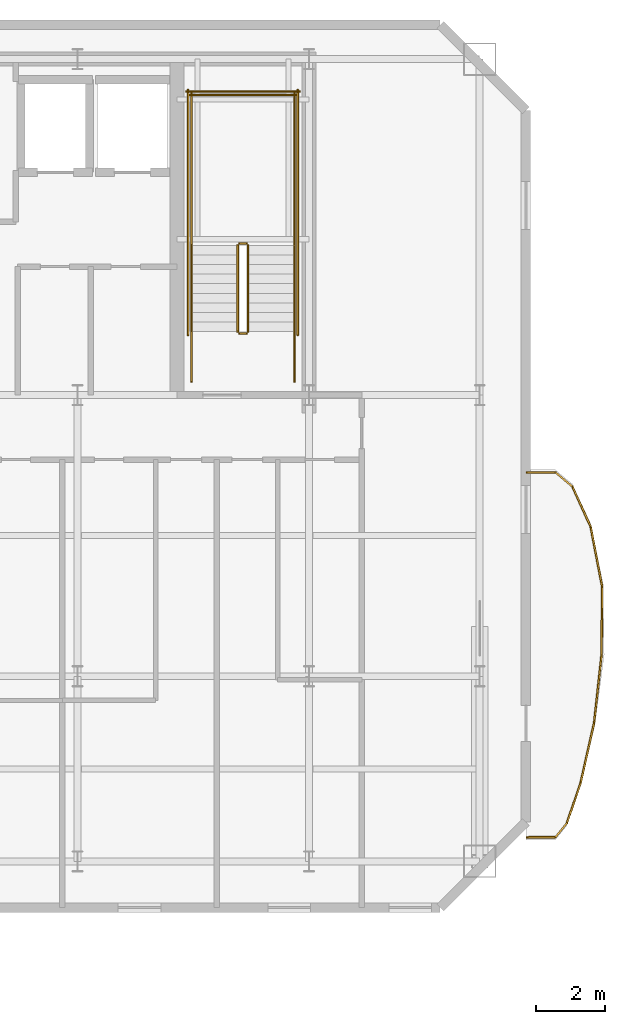
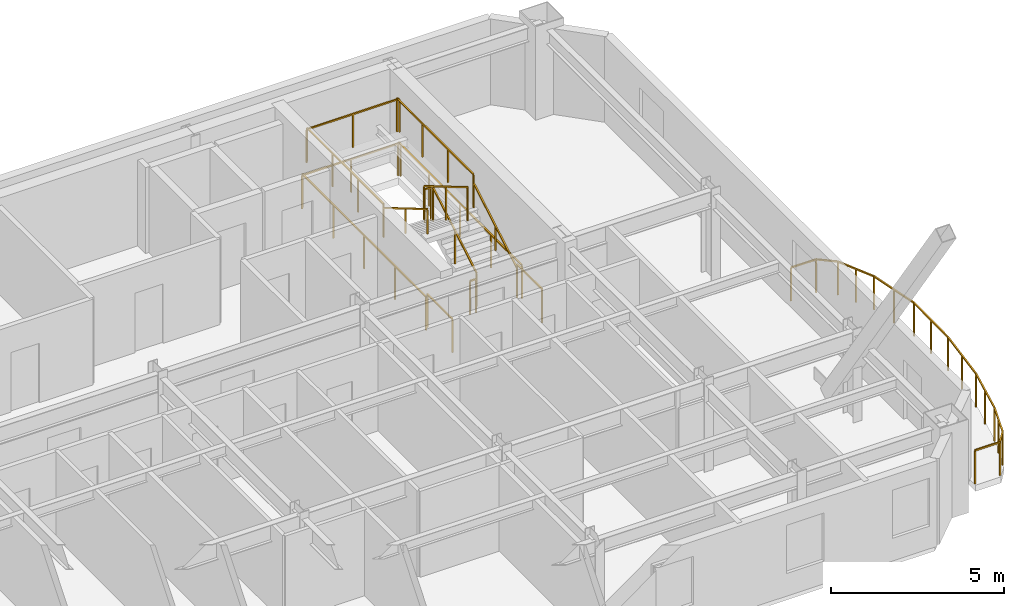
# One storey, part 6 of 6: 24 railings.
"""IFC4 building model written with IfcOpenShell, lengths in metres."""

from ifc_helpers import new_model, si_unit, direction, frame, origin, origin_2d, place, context, subcontext, project, spatial, rectangle, extrude, material, type_object, element, save


model = new_model("IFC4")

# Units and contexts
model_context = context("Model", 3, precision=1e-05, world=origin(), true_north=direction((0.0, 1.0)))
body_context = subcontext(model_context, "Body", "Model", "MODEL_VIEW")
ifc_project = project(units=[si_unit("LENGTHUNIT", "METRE"), si_unit("AREAUNIT", "SQUARE_METRE"), si_unit("VOLUMEUNIT", "CUBIC_METRE"), si_unit("PLANEANGLEUNIT", "RADIAN"), si_unit("MASSUNIT", "GRAM", prefix="KILO")], contexts=[model_context])

# Site, building, storey
site_placement = place(None, origin())
site = spatial("IfcSite", under=ifc_project, at=site_placement, CompositionType="ELEMENT")
building_placement = place(site_placement, origin())
building = spatial("IfcBuilding", under=site, at=building_placement, Name="Haevon Station Towers", CompositionType="ELEMENT")
storey_placement = place(building_placement, frame((0.0, 0.0, 249.300048828125)))
storey = spatial("IfcBuildingStorey", under=building, at=storey_placement, Name="L69", CompositionType="ELEMENT", Elevation=249.300048828125)

# Railings
ifc_material = material(Name="Steel S355", Category="steel")
railing_type_1 = type_object("IfcRailingType", Name="GRD-EXT1200", PredefinedType="GUARDRAIL", material=ifc_material)
railing_1_placement = place(storey_placement, frame((57.3486328125, 25.302734375, 0.0)))
element("IfcRailing", 1, at=railing_1_placement, inside=storey, type_object=railing_type_1, Name="L69 Perimeter Guardrail 1", PredefinedType="GUARDRAIL", context=body_context, shape_type="SweptSolid", body=[
    extrude(rectangle(XDim=0.048095703125, YDim=0.048095703125, at=origin_2d()), frame((0.0, 0.0, 1.17578125), z_axis=(0.999997283225, 0.002330995998, 0.0), x_axis=(-0.002330995998, 0.999997283225, 0.0)), (0.0, 0.0, 1.0), 0.837890625),
    extrude(rectangle(XDim=0.0419921875, YDim=0.0419921875, at=origin_2d()), origin(), (0.0, 0.0, 1.0), 1.15185546875),
    extrude(rectangle(XDim=0.0419921875, YDim=0.0419921875, at=origin_2d()), frame((0.837890625, 0.001953125, 0.0)), (0.0, 0.0, 1.0), 1.15185546875),
])
railing_2_placement = place(storey_placement, frame((58.1865234375, 25.3046875, 0.0)))
element("IfcRailing", 2, at=railing_2_placement, inside=storey, type_object=railing_type_1, Name="L69 Perimeter Guardrail 2", PredefinedType="GUARDRAIL", context=body_context, shape_type="SweptSolid", body=[
    extrude(rectangle(XDim=0.048095703125, YDim=0.048095703125, at=origin_2d()), frame((0.0, 0.0, 1.17578125), z_axis=(0.626386088605, 0.779512968463, 0.0), x_axis=(-0.779512968463, 0.626386088605, 0.0)), (0.0, 0.0, 1.0), 0.52783203125),
    extrude(rectangle(XDim=0.0419921875, YDim=0.0419921875, at=origin_2d()), origin(), (0.0, 0.0, 1.0), 1.15185546875),
    extrude(rectangle(XDim=0.0419921875, YDim=0.0419921875, at=origin_2d()), frame((0.33056640625, 0.411376953125, 0.0)), (0.0, 0.0, 1.0), 1.15185546875),
])
railing_3_placement = place(storey_placement, frame((58.51708984375, 25.716064453125, 0.0)))
element("IfcRailing", 3, at=railing_3_placement, inside=storey, type_object=railing_type_1, Name="L69 Perimeter Guardrail 3", PredefinedType="GUARDRAIL", context=body_context, shape_type="SweptSolid", body=[
    extrude(rectangle(XDim=0.048095703125, YDim=0.048095703125, at=origin_2d()), frame((0.0, 0.0, 1.17578125), z_axis=(0.324031686844, 0.946046228216, 0.0), x_axis=(-0.946046228216, 0.324031686844, 0.0)), (0.0, 0.0, 1.0), 1.237060546875),
    extrude(rectangle(XDim=0.0419921875, YDim=0.0419921875, at=origin_2d()), origin(), (0.0, 0.0, 1.0), 1.15185546875),
    extrude(rectangle(XDim=0.0419921875, YDim=0.0419921875, at=origin_2d()), frame((0.200439453125, 0.585205078125, 0.0)), (0.0, 0.0, 1.0), 1.15185546875),
    extrude(rectangle(XDim=0.0419921875, YDim=0.0419921875, at=origin_2d()), frame((0.40087890625, 1.17041015625, 0.0)), (0.0, 0.0, 1.0), 1.15185546875),
])
railing_4_placement = place(storey_placement, frame((58.91796875, 26.886474609375, 0.0)))
element("IfcRailing", 4, at=railing_4_placement, inside=storey, type_object=railing_type_1, Name="L69 Perimeter Guardrail 4", PredefinedType="GUARDRAIL", context=body_context, shape_type="SweptSolid", body=[
    extrude(rectangle(XDim=0.048095703125, YDim=0.048095703125, at=origin_2d()), frame((0.0, 0.0, 1.17578125), z_axis=(0.219570571944, 0.975596619478, 0.0), x_axis=(-0.975596619478, 0.219570571944, 0.0)), (0.0, 0.0, 1.0), 1.791259765625),
    extrude(rectangle(XDim=0.0419921875, YDim=0.0419921875, at=origin_2d()), origin(), (0.0, 0.0, 1.0), 1.15185546875),
    extrude(rectangle(XDim=0.0419921875, YDim=0.0419921875, at=origin_2d()), frame((0.19677734375, 0.873779296875, 0.0)), (0.0, 0.0, 1.0), 1.15185546875),
    extrude(rectangle(XDim=0.0419921875, YDim=0.0419921875, at=origin_2d()), frame((0.393310546875, 1.74755859375, 0.0)), (0.0, 0.0, 1.0), 1.15185546875),
])
railing_5_placement = place(storey_placement, frame((59.311279296875, 28.634033203125, 0.0)))
element("IfcRailing", 5, at=railing_5_placement, inside=storey, type_object=railing_type_1, Name="L69 Perimeter Guardrail 5", PredefinedType="GUARDRAIL", context=body_context, shape_type="SweptSolid", body=[
    extrude(rectangle(XDim=0.048095703125, YDim=0.048095703125, at=origin_2d()), frame((0.0, 0.0, 1.17578125), z_axis=(0.108973140027, 0.994044694545, 0.0), x_axis=(-0.994044694545, 0.108973140027, 0.0)), (0.0, 0.0, 1.0), 2.0029296875),
    extrude(rectangle(XDim=0.0419921875, YDim=0.0419921875, at=origin_2d()), origin(), (0.0, 0.0, 1.0), 1.15185546875),
    extrude(rectangle(XDim=0.0419921875, YDim=0.0419921875, at=origin_2d()), frame((0.109130859375, 0.99560546875, 0.0)), (0.0, 0.0, 1.0), 1.15185546875),
    extrude(rectangle(XDim=0.0419921875, YDim=0.0419921875, at=origin_2d()), frame((0.21826171875, 1.990966796875, 0.0)), (0.0, 0.0, 1.0), 1.15185546875),
])
railing_6_placement = place(storey_placement, frame((59.529541015625, 30.625, 0.0)))
element("IfcRailing", 6, at=railing_6_placement, inside=storey, type_object=railing_type_1, Name="L69 Perimeter Guardrail 6", PredefinedType="GUARDRAIL", context=body_context, shape_type="SweptSolid", body=[
    extrude(rectangle(XDim=0.048095703125, YDim=0.048095703125, at=origin_2d()), frame((0.0, 0.0, 1.17578125), z_axis=(0.008448333236, 0.999964312196, 0.0), x_axis=(-0.999964312196, 0.008448333236, 0.0)), (0.0, 0.0, 1.0), 1.993896484375),
    extrude(rectangle(XDim=0.0419921875, YDim=0.0419921875, at=origin_2d()), origin(), (0.0, 0.0, 1.0), 1.15185546875),
    extrude(rectangle(XDim=0.0419921875, YDim=0.0419921875, at=origin_2d()), frame((0.00830078125, 0.9970703125, 0.0)), (0.0, 0.0, 1.0), 1.15185546875),
    extrude(rectangle(XDim=0.0419921875, YDim=0.0419921875, at=origin_2d()), frame((0.016845703125, 1.993896484375, 0.0)), (0.0, 0.0, 1.0), 1.15185546875),
])
railing_7_placement = place(storey_placement, frame((59.54638671875, 32.618896484375, 0.0)))
element("IfcRailing", 7, at=railing_7_placement, inside=storey, type_object=railing_type_1, Name="L69 Perimeter Guardrail 7", PredefinedType="GUARDRAIL", context=body_context, shape_type="SweptSolid", body=[
    extrude(rectangle(XDim=0.048095703125, YDim=0.048095703125, at=origin_2d()), frame((0.0, 0.0, 1.17578125), z_axis=(-0.189270206795, 0.981925042363, 0.0), x_axis=(-0.981925042363, -0.189270206795, 0.0)), (0.0, 0.0, 1.0), 1.777587890625),
    extrude(rectangle(XDim=0.0419921875, YDim=0.0419921875, at=origin_2d()), origin(), (0.0, 0.0, 1.0), 1.15185546875),
    extrude(rectangle(XDim=0.0419921875, YDim=0.0419921875, at=origin_2d()), frame((-0.168212890625, 0.87255859375, 0.0)), (0.0, 0.0, 1.0), 1.15185546875),
    extrude(rectangle(XDim=0.0419921875, YDim=0.0419921875, at=origin_2d()), frame((-0.33642578125, 1.745361328125, 0.0)), (0.0, 0.0, 1.0), 1.15185546875),
])
railing_8_placement = place(storey_placement, frame((59.2099609375, 34.3642578125, 0.0)))
element("IfcRailing", 8, at=railing_8_placement, inside=storey, type_object=railing_type_1, Name="L69 Perimeter Guardrail 8", PredefinedType="GUARDRAIL", context=body_context, shape_type="SweptSolid", body=[
    extrude(rectangle(XDim=0.048095703125, YDim=0.048095703125, at=origin_2d()), frame((0.0, 0.0, 1.17578125), z_axis=(-0.41447546993, 0.910060484158, 0.0), x_axis=(-0.910060484158, -0.41447546993, 0.0)), (0.0, 0.0, 1.0), 1.28515625),
    extrude(rectangle(XDim=0.0419921875, YDim=0.0419921875, at=origin_2d()), origin(), (0.0, 0.0, 1.0), 1.15185546875),
    extrude(rectangle(XDim=0.0419921875, YDim=0.0419921875, at=origin_2d()), frame((-0.266357421875, 0.5849609375, 0.0)), (0.0, 0.0, 1.0), 1.15185546875),
    extrude(rectangle(XDim=0.0419921875, YDim=0.0419921875, at=origin_2d()), frame((-0.53271484375, 1.169677734375, 0.0)), (0.0, 0.0, 1.0), 1.15185546875),
])
railing_9_placement = place(storey_placement, frame((58.67724609375, 35.533935546875, 0.0)))
element("IfcRailing", 9, at=railing_9_placement, inside=storey, type_object=railing_type_1, Name="L69 Perimeter Guardrail 9", PredefinedType="GUARDRAIL", context=body_context, shape_type="SweptSolid", body=[
    extrude(rectangle(XDim=0.048095703125, YDim=0.048095703125, at=origin_2d()), frame((0.0, 0.0, 1.17578125), z_axis=(-0.766342909973, 0.642431742938, 0.0), x_axis=(-0.642431742938, -0.766342909973, 0.0)), (0.0, 0.0, 1.0), 0.640380859375),
    extrude(rectangle(XDim=0.0419921875, YDim=0.0419921875, at=origin_2d()), origin(), (0.0, 0.0, 1.0), 1.15185546875),
    extrude(rectangle(XDim=0.0419921875, YDim=0.0419921875, at=origin_2d()), frame((-0.49072265625, 0.411376953125, 0.0)), (0.0, 0.0, 1.0), 1.15185546875),
])
railing_10_placement = place(storey_placement, frame((58.1865234375, 35.9453125, 0.0)))
element("IfcRailing", 10, at=railing_10_placement, inside=storey, type_object=railing_type_1, Name="L69 Perimeter Guardrail 10", PredefinedType="GUARDRAIL", context=body_context, shape_type="SweptSolid", body=[
    extrude(rectangle(XDim=0.048095703125, YDim=0.048095703125, at=origin_2d()), frame((0.0, 0.0, 1.17578125), z_axis=(-0.999997283225, 0.002330995998, 0.0), x_axis=(-0.002330995998, -0.999997283225, 0.0)), (0.0, 0.0, 1.0), 0.837890625),
    extrude(rectangle(XDim=0.0419921875, YDim=0.0419921875, at=origin_2d()), origin(), (0.0, 0.0, 1.0), 1.15185546875),
    extrude(rectangle(XDim=0.0419921875, YDim=0.0419921875, at=origin_2d()), frame((-0.837890625, 0.001953125, 0.0)), (0.0, 0.0, 1.0), 1.15185546875),
])
railing_type_2 = type_object("IfcRailingType", Name="GRD-STR1200", PredefinedType="GUARDRAIL", material=ifc_material)
railing_11_placement = place(storey_placement, frame((49.219970703125, 40.050048828125, 0.1650390625)))
element("IfcRailing", 11, at=railing_11_placement, inside=storey, type_object=railing_type_2, Name="L69 ST2 Stair Guard 1", PredefinedType="GUARDRAIL", context=body_context, shape_type="SweptSolid", body=[
    extrude(rectangle(XDim=0.048095703125, YDim=0.048095703125, at=origin_2d()), frame((0.0, 0.0, 1.17578125), z_axis=(0.0, 0.861560626758, 0.507654692109), x_axis=(-1.0, 0.0, 0.0)), (0.0, 0.0, 1.0), 2.925048828125),
    extrude(rectangle(XDim=0.0419921875, YDim=0.0419921875, at=origin_2d()), origin(), (0.0, 0.0, 1.0), 1.15185546875),
    extrude(rectangle(XDim=0.0419921875, YDim=0.0419921875, at=origin_2d()), frame((0.0, 1.260009765625, 0.742431640625)), (0.0, 0.0, 1.0), 1.15185546875),
    extrude(rectangle(XDim=0.0419921875, YDim=0.0419921875, at=origin_2d()), frame((0.0, 2.52001953125, 1.48486328125)), (0.0, 0.0, 1.0), 1.15185546875),
])
railing_12_placement = place(storey_placement, frame((49.169921875, 42.6201171875, 1.64990234375)))
element("IfcRailing", 12, at=railing_12_placement, inside=storey, type_object=railing_type_2, Name="L69 ST2 Stair Guard 2", PredefinedType="GUARDRAIL", context=body_context, shape_type="SweptSolid", body=[
    extrude(rectangle(XDim=0.048095703125, YDim=0.048095703125, at=origin_2d()), frame((0.0, 0.0, 1.17578125), z_axis=(-1.0, 0.0, 0.0), x_axis=(0.0, -1.0, 0.0)), (0.0, 0.0, 1.0), 0.199951171875),
    extrude(rectangle(XDim=0.0419921875, YDim=0.0419921875, at=origin_2d()), origin(), (0.0, 0.0, 1.0), 1.15185546875),
    extrude(rectangle(XDim=0.0419921875, YDim=0.0419921875, at=origin_2d()), frame((-0.199951171875, 0.0, 0.0)), (0.0, 0.0, 1.0), 1.15185546875),
])
for number, where, name in (
    (13, (50.570068359375, 42.570068359375, 1.64990234375), "L69 ST2 Stair Guard 3"),
    (14, (47.570068359375, 42.570068359375, 1.64990234375), "L69 ST2 Stair Guard 4"),
):
    element("IfcRailing", number, at=place(storey_placement, frame(where)), inside=storey, type_object=railing_type_2, Name=name, PredefinedType="GUARDRAIL", context=body_context, shape_type="SweptSolid", body=[
        extrude(rectangle(XDim=0.048095703125, YDim=0.048095703125, at=origin_2d()), frame((0.0, 0.0, 1.17578125), z_axis=(0.0, 1.0, 0.0), x_axis=(-1.0, 0.0, 0.0)), (0.0, 0.0, 1.0), 4.429931640625),
        extrude(rectangle(XDim=0.0419921875, YDim=0.0419921875, at=origin_2d()), origin(), (0.0, 0.0, 1.0), 1.15185546875),
        extrude(rectangle(XDim=0.0419921875, YDim=0.0419921875, at=origin_2d()), frame((0.0, 1.4765625, 0.0)), (0.0, 0.0, 1.0), 1.15185546875),
        extrude(rectangle(XDim=0.0419921875, YDim=0.0419921875, at=origin_2d()), frame((0.0, 2.953369140625, 0.0)), (0.0, 0.0, 1.0), 1.15185546875),
        extrude(rectangle(XDim=0.0419921875, YDim=0.0419921875, at=origin_2d()), frame((0.0, 4.429931640625, 0.0)), (0.0, 0.0, 1.0), 1.15185546875),
    ])
railing_13_placement = place(storey_placement, frame((50.6201171875, 46.949951171875, 1.64990234375)))
element("IfcRailing", 15, at=railing_13_placement, inside=storey, type_object=railing_type_2, Name="L69 ST2 Stair Guard 5", PredefinedType="GUARDRAIL", context=body_context, shape_type="SweptSolid", body=[
    extrude(rectangle(XDim=0.048095703125, YDim=0.048095703125, at=origin_2d()), frame((0.0, 0.0, 1.17578125), z_axis=(-1.0, 0.0, 0.0), x_axis=(0.0, -1.0, 0.0)), (0.0, 0.0, 1.0), 3.10009765625),
    extrude(rectangle(XDim=0.0419921875, YDim=0.0419921875, at=origin_2d()), origin(), (0.0, 0.0, 1.0), 1.15185546875),
    extrude(rectangle(XDim=0.0419921875, YDim=0.0419921875, at=origin_2d()), frame((-1.550048828125, 0.0, 0.0)), (0.0, 0.0, 1.0), 1.15185546875),
    extrude(rectangle(XDim=0.0419921875, YDim=0.0419921875, at=origin_2d()), frame((-3.10009765625, 0.0, 0.0)), (0.0, 0.0, 1.0), 1.15185546875),
])
railing_14_placement = place(storey_placement, frame((48.919921875, 42.570068359375, 1.81494140625)))
element("IfcRailing", 16, at=railing_14_placement, inside=storey, type_object=railing_type_2, Name="L69 ST2 Stair Guard 6", PredefinedType="GUARDRAIL", context=body_context, shape_type="SweptSolid", body=[
    extrude(rectangle(XDim=0.048095703125, YDim=0.048095703125, at=origin_2d()), frame((0.0, 0.0, 1.17578125), z_axis=(0.0, -0.86152411907, 0.507716645641), x_axis=(1.0, 0.0, 0.0)), (0.0, 0.0, 1.0), 2.925048828125),
    extrude(rectangle(XDim=0.0419921875, YDim=0.0419921875, at=origin_2d()), origin(), (0.0, 0.0, 1.0), 1.15185546875),
    extrude(rectangle(XDim=0.0419921875, YDim=0.0419921875, at=origin_2d()), frame((0.0, -1.260009765625, 0.74267578125)), (0.0, 0.0, 1.0), 1.15185546875),
    extrude(rectangle(XDim=0.0419921875, YDim=0.0419921875, at=origin_2d()), frame((0.0, -2.52001953125, 1.485107421875)), (0.0, 0.0, 1.0), 1.15185546875),
])
railing_15_placement = place(storey_placement, frame((49.169921875, 40.0, 0.0)))
element("IfcRailing", 17, at=railing_15_placement, inside=storey, type_object=railing_type_2, Name="L69 ST2 Stair Guard 7", PredefinedType="GUARDRAIL", context=body_context, shape_type="SweptSolid", body=[
    extrude(rectangle(XDim=0.048095703125, YDim=0.048095703125, at=origin_2d()), frame((0.0, 0.0, 1.17578125), z_axis=(-1.0, 0.0, 0.0), x_axis=(0.0, -1.0, 0.0)), (0.0, 0.0, 1.0), 0.199951171875),
    extrude(rectangle(XDim=0.0419921875, YDim=0.0419921875, at=origin_2d()), origin(), (0.0, 0.0, 1.0), 1.15185546875),
    extrude(rectangle(XDim=0.0419921875, YDim=0.0419921875, at=origin_2d()), frame((-0.199951171875, 0.0, 0.0)), (0.0, 0.0, 1.0), 1.15185546875),
])
for number, where, name in (
    (18, (50.570068359375, 38.60009765625, 0.0), "L69 ST2 Stair Guard 8"),
    (19, (47.570068359375, 38.60009765625, 0.0), "L69 ST2 Stair Guard 9"),
):
    element("IfcRailing", number, at=place(storey_placement, frame(where)), inside=storey, type_object=railing_type_2, Name=name, PredefinedType="GUARDRAIL", context=body_context, shape_type="SweptSolid", body=[
        extrude(rectangle(XDim=0.048095703125, YDim=0.048095703125, at=origin_2d()), frame((0.0, 0.0, 1.17578125), z_axis=(0.0, 1.0, 0.0), x_axis=(-1.0, 0.0, 0.0)), (0.0, 0.0, 1.0), 1.449951171875),
        extrude(rectangle(XDim=0.0419921875, YDim=0.0419921875, at=origin_2d()), origin(), (0.0, 0.0, 1.0), 1.15185546875),
        extrude(rectangle(XDim=0.0419921875, YDim=0.0419921875, at=origin_2d()), frame((0.0, 1.449951171875, 0.0)), (0.0, 0.0, 1.0), 1.15185546875),
    ])
for number, where, name in (
    (20, (50.669921875, 39.949951171875, 0.0), "L69 ST2 Stair Guard 10"),
    (21, (47.469970703125, 39.949951171875, 0.0), "L69 ST2 Stair Guard 11"),
):
    element("IfcRailing", number, at=place(storey_placement, frame(where)), inside=storey, type_object=railing_type_2, Name=name, PredefinedType="GUARDRAIL", context=body_context, shape_type="SweptSolid", body=[
        extrude(rectangle(XDim=0.048095703125, YDim=0.048095703125, at=origin_2d()), frame((0.0, 0.0, 1.17578125), z_axis=(0.0, 1.0, 0.0), x_axis=(-1.0, 0.0, 0.0)), (0.0, 0.0, 1.0), 7.150146484375),
        extrude(rectangle(XDim=0.0419921875, YDim=0.0419921875, at=origin_2d()), origin(), (0.0, 0.0, 1.0), 1.15185546875),
        extrude(rectangle(XDim=0.0419921875, YDim=0.0419921875, at=origin_2d()), frame((0.0, 1.78759765625, 0.0)), (0.0, 0.0, 1.0), 1.15185546875),
        extrude(rectangle(XDim=0.0419921875, YDim=0.0419921875, at=origin_2d()), frame((0.0, 3.5751953125, 0.0)), (0.0, 0.0, 1.0), 1.15185546875),
        extrude(rectangle(XDim=0.0419921875, YDim=0.0419921875, at=origin_2d()), frame((0.0, 5.362548828125, 0.0)), (0.0, 0.0, 1.0), 1.15185546875),
        extrude(rectangle(XDim=0.0419921875, YDim=0.0419921875, at=origin_2d()), frame((0.0, 7.150146484375, 0.0)), (0.0, 0.0, 1.0), 1.15185546875),
    ])
railing_16_placement = place(storey_placement, frame((50.719970703125, 47.050048828125, 0.0)))
element("IfcRailing", 22, at=railing_16_placement, inside=storey, type_object=railing_type_2, Name="L69 ST2 Stair Guard 12", PredefinedType="GUARDRAIL", context=body_context, shape_type="SweptSolid", body=[
    extrude(rectangle(XDim=0.048095703125, YDim=0.048095703125, at=origin_2d()), frame((0.0, 0.0, 1.17578125), z_axis=(-1.0, 0.0, 0.0), x_axis=(0.0, -1.0, 0.0)), (0.0, 0.0, 1.0), 3.300048828125),
    extrude(rectangle(XDim=0.0419921875, YDim=0.0419921875, at=origin_2d()), origin(), (0.0, 0.0, 1.0), 1.15185546875),
    extrude(rectangle(XDim=0.0419921875, YDim=0.0419921875, at=origin_2d()), frame((-1.64990234375, 0.0, 0.0)), (0.0, 0.0, 1.0), 1.15185546875),
    extrude(rectangle(XDim=0.0419921875, YDim=0.0419921875, at=origin_2d()), frame((-3.300048828125, 0.0, 0.0)), (0.0, 0.0, 1.0), 1.15185546875),
])
railing_type_3 = type_object("IfcRailingType", Name="HND-STR900", PredefinedType="HANDRAIL", material=ifc_material)
railing_17_placement = place(storey_placement, frame((50.570068359375, 40.050048828125, 0.1650390625)))
element("IfcRailing", 23, at=railing_17_placement, inside=storey, type_object=railing_type_3, Name="L69 ST2 Stair Handrail 1", PredefinedType="HANDRAIL", context=body_context, shape_type="SweptSolid", body=[
    extrude(rectangle(XDim=0.048095703125, YDim=0.048095703125, at=origin_2d()), frame((0.0, 0.0, 0.8759765625), z_axis=(0.0, 0.861560626758, 0.507654692109), x_axis=(-1.0, 0.0, 0.0)), (0.0, 0.0, 1.0), 2.925048828125),
    extrude(rectangle(XDim=0.0419921875, YDim=0.0419921875, at=origin_2d()), origin(), (0.0, 0.0, 1.0), 0.851806640625),
    extrude(rectangle(XDim=0.0419921875, YDim=0.0419921875, at=origin_2d()), frame((0.0, 1.260009765625, 0.742431640625)), (0.0, 0.0, 1.0), 0.851806640625),
    extrude(rectangle(XDim=0.0419921875, YDim=0.0419921875, at=origin_2d()), frame((0.0, 2.52001953125, 1.48486328125)), (0.0, 0.0, 1.0), 0.851806640625),
])
railing_18_placement = place(storey_placement, frame((47.570068359375, 42.570068359375, 1.81494140625)))
element("IfcRailing", 24, at=railing_18_placement, inside=storey, type_object=railing_type_3, Name="L69 ST2 Stair Handrail 2", PredefinedType="HANDRAIL", context=body_context, shape_type="SweptSolid", body=[
    extrude(rectangle(XDim=0.048095703125, YDim=0.048095703125, at=origin_2d()), frame((0.0, 0.0, 0.8759765625), z_axis=(0.0, -0.86152411907, 0.507716645641), x_axis=(1.0, 0.0, 0.0)), (0.0, 0.0, 1.0), 2.925048828125),
    extrude(rectangle(XDim=0.0419921875, YDim=0.0419921875, at=origin_2d()), origin(), (0.0, 0.0, 1.0), 0.851806640625),
    extrude(rectangle(XDim=0.0419921875, YDim=0.0419921875, at=origin_2d()), frame((0.0, -1.260009765625, 0.74267578125)), (0.0, 0.0, 1.0), 0.851806640625),
    extrude(rectangle(XDim=0.0419921875, YDim=0.0419921875, at=origin_2d()), frame((0.0, -2.52001953125, 1.485107421875)), (0.0, 0.0, 1.0), 0.851806640625),
])

save(model, "model.ifc")
